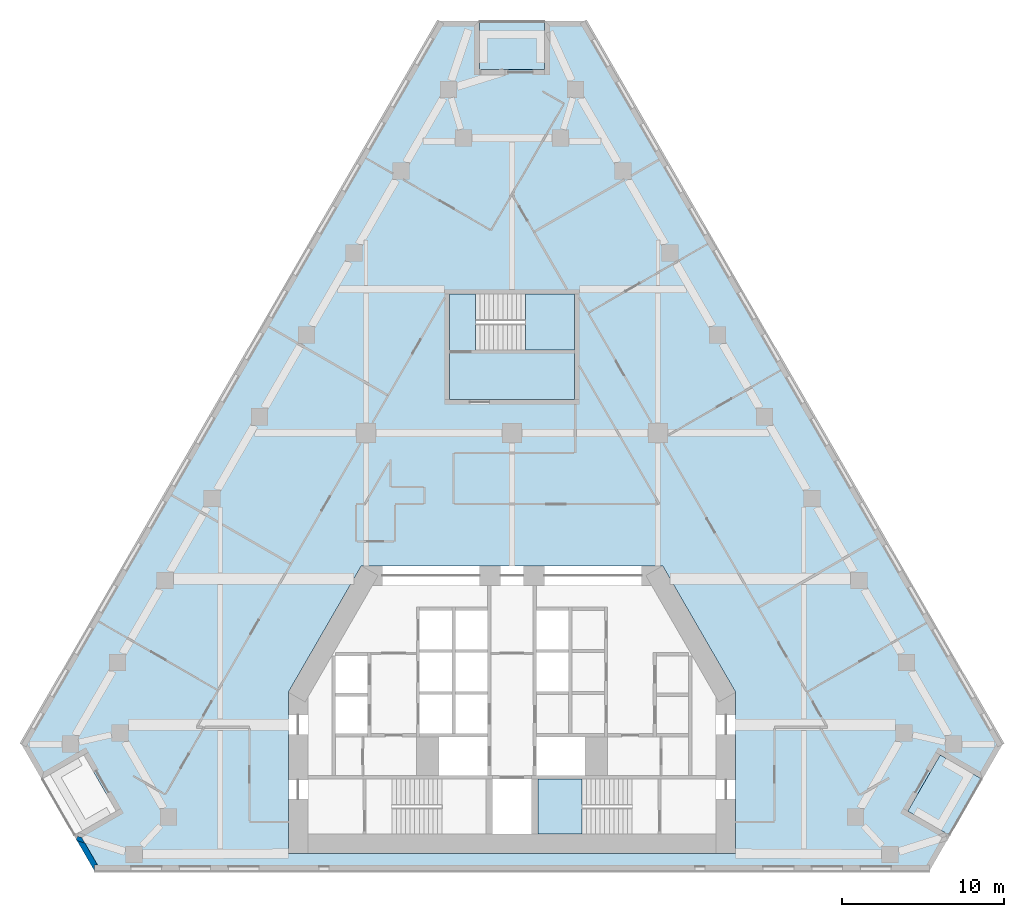
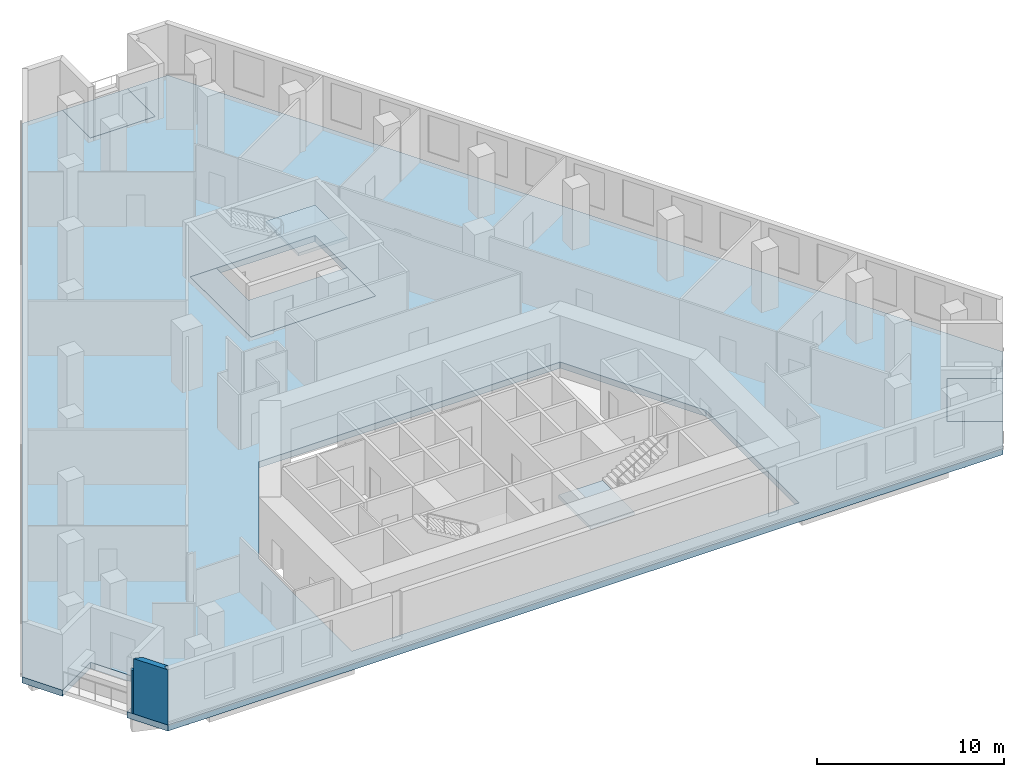
# One storey, part 2 of 10: 6 slabs, 2 walls, 2 elements without a shape of their own.
"""IFC4 building model written with IfcOpenShell, lengths in metres."""

from ifc_helpers import new_model, si_unit, direction, frame, origin, place, context, subcontext, project, spatial, polyline, outline, extrude, material, layer, layer_set, type_object, element, aggregate, save


model = new_model("IFC4")

# Units and contexts
model_context = context("Model", 3, precision=1e-05, world=origin(), true_north=direction((0.0, 1.0)))
body_context = subcontext(model_context, "Body", "Model", "MODEL_VIEW")
ifc_project = project(units=[si_unit("LENGTHUNIT", "METRE"), si_unit("AREAUNIT", "SQUARE_METRE"), si_unit("VOLUMEUNIT", "CUBIC_METRE"), si_unit("PLANEANGLEUNIT", "RADIAN"), si_unit("MASSUNIT", "GRAM", prefix="KILO")], contexts=[model_context])

# Site, building, storey
site_placement = place(None, origin())
site = spatial("IfcSite", under=ifc_project, at=site_placement, CompositionType="ELEMENT")
building_placement = place(site_placement, origin())
building = spatial("IfcBuilding", under=site, at=building_placement, Name="Fogline Exchange Tower", CompositionType="ELEMENT")
storey_placement = place(building_placement, frame((0.0, 0.0, 108.10009765625)))
storey = spatial("IfcBuildingStorey", under=building, at=storey_placement, Name="L23", CompositionType="ELEMENT", Elevation=108.10009765625)

# Slabs
ifc_material_1 = material(Name="Concrete C40", Category="concrete")
ifc_layer_1 = layer(ifc_material_1, 0.25)
ifc_layer_set_1 = layer_set([ifc_layer_1], Name="DK1")
slab_type_1 = type_object("IfcSlabType", Name="DK1", PredefinedType="FLOOR", material=ifc_layer_set_1)
slab_1_placement = place(storey_placement, frame((0.0, 0.0, -0.25)))
element("IfcSlab", 1, at=slab_1_placement, inside=storey, type_object=slab_type_1, Name="Balcony L23 SE", PredefinedType="FLOOR", context=body_context, shape_type="SweptSolid", body=[
    extrude(outline(polyline([(27.015625, 2.1650390625), (29.015625, 5.629150390625), (26.41748046875, 7.129150390625), (24.41748046875, 3.6650390625), (27.015625, 2.1650390625)])), origin(), (0.0, 0.0, 1.0), 0.25),
])
slab_2_placement = place(storey_placement, frame((0.0, 0.0, -0.25)))
element("IfcSlab", 2, at=slab_2_placement, inside=storey, type_object=slab_type_1, Name="Balcony L23 N", PredefinedType="FLOOR", context=body_context, shape_type="SweptSolid", body=[
    extrude(outline(polyline([(2.0, 52.421630859375), (-2.0, 52.421630859375), (-2.0, 49.421630859375), (2.0, 49.421630859375), (2.0, 52.421630859375)])), origin(), (0.0, 0.0, 1.0), 0.25),
])
ifc_layer_2 = layer(ifc_material_1, 0.39990234375)
ifc_layer_set_2 = layer_set([ifc_layer_2], Name="S03")
slab_type_2 = type_object("IfcSlabType", Name="S03", PredefinedType="FLOOR", material=ifc_layer_set_2)
slab_3_placement = place(storey_placement, frame((0.0, 0.0, -0.400146484375)))
element("IfcSlab", 3, at=slab_3_placement, inside=storey, type_object=slab_type_2, Name="SLAB L23", PredefinedType="FLOOR", context=body_context, shape_type="SweptSolid", body=[
    extrude(outline(polyline([(-2.0, 52.421630859375), (-4.5, 52.421630859375), (-30.265625, 7.794189453125), (-29.015625, 5.629150390625), (-26.41748046875, 7.129150390625), (-24.41748046875, 3.6650390625), (-27.015625, 2.1650390625), (-25.765625, 0.0), (25.765625, 0.0), (27.015625, 2.1650390625), (24.41748046875, 3.6650390625), (26.41748046875, 7.129150390625), (29.015625, 5.629150390625), (30.265625, 7.794189453125), (4.5, 52.421630859375), (2.0, 52.421630859375), (2.0, 49.421630859375), (-2.0, 49.421630859375), (-2.0, 52.421630859375)]), holes=[polyline([(13.800048828125, 10.9990234375), (13.800048828125, 1.050048828125), (-13.800048828125, 1.050048828125), (-13.800048828125, 10.9990234375), (-9.296142578125, 18.800048828125), (9.296142578125, 18.800048828125), (13.800048828125, 10.9990234375)]), polyline([(3.85009765625, 35.556884765625), (3.85009765625, 29.056884765625), (-3.85009765625, 29.056884765625), (-3.85009765625, 35.556884765625), (3.85009765625, 35.556884765625)])]), origin(), (0.0, 0.0, 1.0), 0.400146484375),
])
slab_4_placement = place(storey_placement, frame((0.0, 0.0, -0.400146484375)))
element("IfcSlab", 4, at=slab_4_placement, inside=storey, type_object=slab_type_2, Name="Stair enclosure floor slab", PredefinedType="FLOOR", context=body_context, shape_type="SweptSolid", body=[
    extrude(outline(polyline([(3.85009765625, 29.056884765625), (-3.85009765625, 29.056884765625), (-3.85009765625, 35.556884765625), (-2.239990234375, 35.556884765625), (-2.239990234375, 32.10693359375), (3.85009765625, 32.10693359375), (3.85009765625, 29.056884765625)])), origin(), (0.0, 0.0, 1.0), 0.400146484375),
])

# Stair, slab
stair_type = type_object("IfcStairType", Name="STR24-1667", PredefinedType="HALF_TURN_STAIR", material=ifc_material_1)
stair_1_placement = place(storey_placement, origin())
stair_1 = element("IfcStair", 5, at=stair_1_placement, inside=storey, type_object=stair_type, Name="Stair ST2", PredefinedType="HALF_TURN_STAIR")
ifc_layer_3 = layer(ifc_material_1, 0.199951171875)
ifc_layer_set_3 = layer_set([ifc_layer_3], Name="SL200")
slab_type_3 = type_object("IfcSlabType", Name="SL200", PredefinedType="LANDING", material=ifc_layer_set_3)
slab_5_placement = place(storey_placement, frame((0.0, 0.0, 1.7998046875)))
slab_5 = element("IfcSlab", 6, at=slab_5_placement, type_object=slab_type_3, Name="ST2 landing 1", PredefinedType="LANDING", context=body_context, shape_type="SweptSolid", body=[
    extrude(outline(polyline([(1.60009765625, 2.25), (4.320068359375, 2.25), (4.320068359375, 5.64990234375), (1.60009765625, 5.64990234375), (1.60009765625, 2.25)])), origin(), (0.0, 0.0, 1.0), 0.2001953125),
])
aggregate(stair_1, [slab_5])

stair_2_placement = place(storey_placement, origin())
stair_2 = element("IfcStair", 7, at=stair_2_placement, inside=storey, type_object=stair_type, Name="Stair ST3", PredefinedType="HALF_TURN_STAIR")
slab_6_placement = place(storey_placement, frame((0.0, 0.0, 1.7998046875)))
slab_6 = element("IfcSlab", 8, at=slab_6_placement, type_object=slab_type_3, Name="ST3 landing 1", PredefinedType="LANDING", context=body_context, shape_type="SweptSolid", body=[
    extrude(outline(polyline([(0.830078125, 32.10693359375), (3.85009765625, 32.10693359375), (3.85009765625, 35.556884765625), (0.830078125, 35.556884765625), (0.830078125, 32.10693359375)])), origin(), (0.0, 0.0, 1.0), 0.2001953125),
])
aggregate(stair_2, [slab_6])

# Walls
ifc_material_2 = material(Name="Brick masonry", Category="masonry")
ifc_layer_4 = layer(ifc_material_2, 0.340087890625)
ifc_layer_set_4 = layer_set([ifc_layer_4], Name="FW1")
wall_type = type_object("IfcWallType", Name="FW1", PredefinedType="SOLIDWALL", material=ifc_layer_set_4)
wall_1_placement = place(storey_placement, origin())
element("IfcWall", 9, at=wall_1_placement, inside=storey, type_object=wall_type, Name="Brick wall L23 SW-c2", PredefinedType="SOLIDWALL", context=body_context, shape_type="SweptSolid", body=[
    extrude(outline(polyline([(-26.876708984375, 1.92333984375), (-26.817138671875, 2.112548828125), (-26.55078125, 2.041015625), (-26.34716796875, 1.6884765625), (-26.82861328125, 1.83984375), (-26.876708984375, 1.92333984375)])), origin(), (0.0, 0.0, 1.0), 2.7998046875),
])
wall_2_placement = place(storey_placement, origin())
element("IfcWall", 10, at=wall_2_placement, inside=storey, type_object=wall_type, Name="Brick wall L23 SW-c2", PredefinedType="SOLIDWALL", context=body_context, shape_type="SweptSolid", body=[
    extrude(outline(polyline([(-25.76513671875, 0.33935546875), (-25.76513671875, -0.0009765625), (-25.765625, -0.001220703125), (-26.82861328125, 1.83984375), (-26.34716796875, 1.6884765625), (-25.568359375, 0.33935546875), (-25.76513671875, 0.33935546875)])), origin(), (0.0, 0.0, 1.0), 3.599853515625),
])

save(model, "model.ifc")
